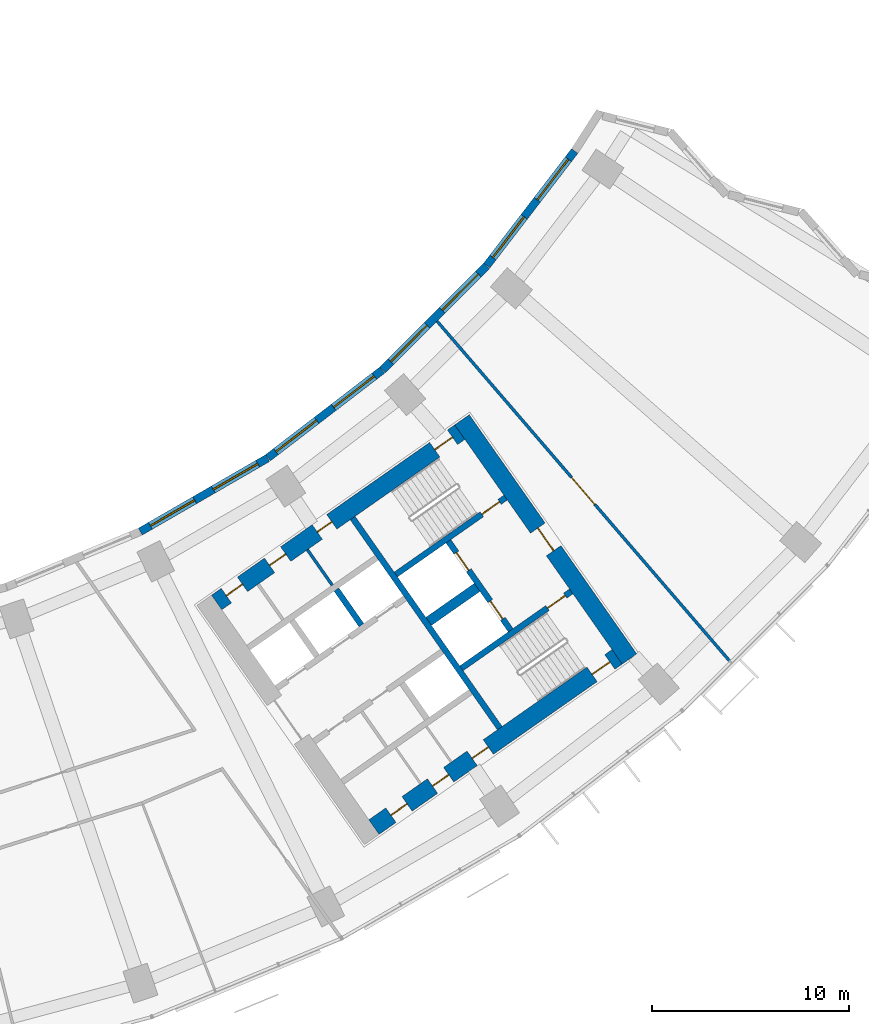
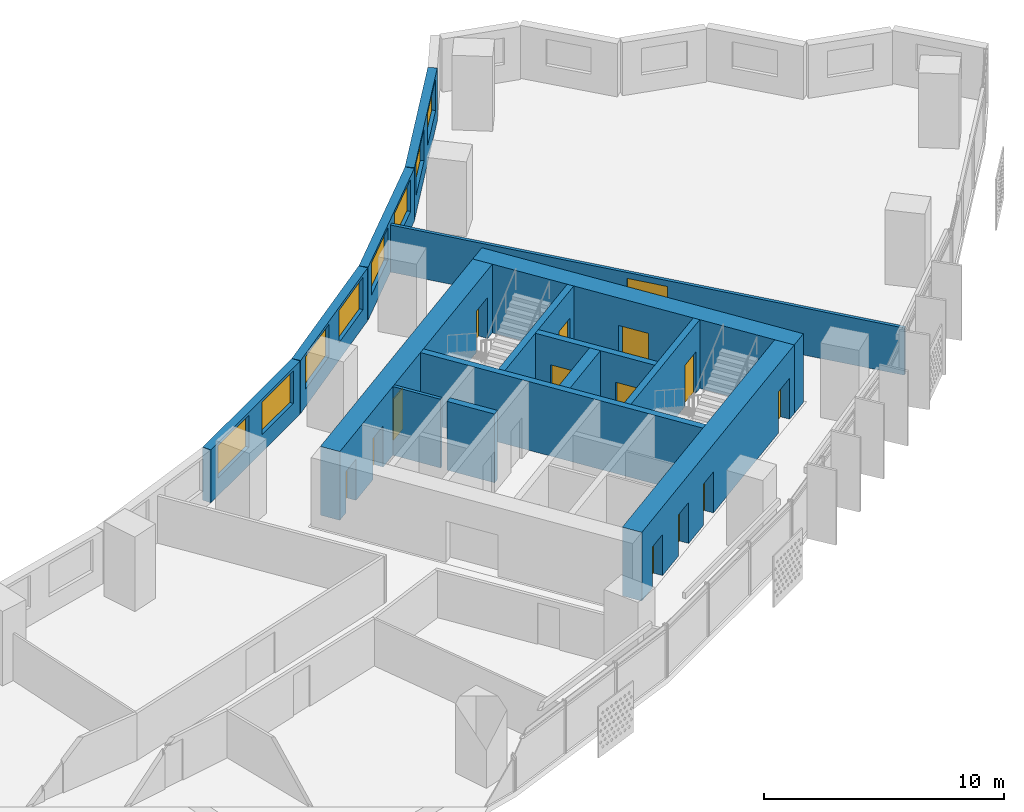
# One storey, part 7 of 31: 15 walls, 14 doors, 8 windows, 22 openings.
"""IFC4 building model written with IfcOpenShell, lengths in metres."""

import ifcopenshell
import ifcopenshell.guid

model = None  # the IFC model being written
_history = None  # IfcOwnerHistory: only IFC2X3 demands one
_inside = {}  # id of a spatial element -> (the spatial element, [elements in it])
_under = {}  # id of a project, library or spatial element -> (it, [spatial elements below it])
_declared = {}  # id of a project -> (the project, [libraries it declares])
_typed = {}  # id of a type object -> (the type object, [elements of that type])
_made_of = {}  # id of a material, layer set ... -> (it, [elements and type objects made of it])


def new_model(schema):
    """Start an empty IFC model of exactly this schema.

    Asked for "IFC4X3", IfcOpenShell would pick the latest addendum, in which some entities
    have other attributes; the version numbers below select the first issue.
    IFC2X3 requires an IfcOwnerHistory on every rooted entity: one is made here for all.
    """
    global model, _history
    if schema == "IFC4X3":
        model = ifcopenshell.file(schema_version=(4, 3, 0, 0))
    else:
        model = ifcopenshell.file(schema=schema)
    _inside.clear()
    _under.clear()
    _declared.clear()
    _typed.clear()
    _made_of.clear()
    _history = None
    if model.schema == "IFC2X3":
        org = make("IfcOrganization", Name="unknown")
        user = make(
            "IfcPersonAndOrganization",
            ThePerson=make("IfcPerson", FamilyName="unknown"),
            TheOrganization=org,
        )
        app = make(
            "IfcApplication",
            ApplicationDeveloper=org,
            Version="unknown",
            ApplicationFullName="unknown",
            ApplicationIdentifier="unknown",
        )
        _history = make(
            "IfcOwnerHistory",
            OwningUser=user,
            OwningApplication=app,
            ChangeAction="ADDED",
            CreationDate=0,
        )
    return model


def make(cls, **values):
    """One entity of the class cls with the attributes given. An attribute that is None is left unset."""
    return model.create_entity(
        cls, **{name: value for name, value in values.items() if value is not None}
    )


def rooted(cls, **values):
    """An entity with a GlobalId (a new one), such as an element, a storey or a relation."""
    return make(cls, GlobalId=ifcopenshell.guid.new(), OwnerHistory=_history, **values)


def si_unit(unit_type, name, prefix=None):
    """IfcSIUnit, for example si_unit("LENGTHUNIT", "METRE", prefix="MILLI")."""
    return make("IfcSIUnit", UnitType=unit_type, Prefix=prefix, Name=name)


def assignment(units):
    """IfcUnitAssignment: the units of a project."""
    return None if units is None else make("IfcUnitAssignment", Units=units)


def point(xyz):
    """IfcCartesianPoint."""
    return None if xyz is None else make("IfcCartesianPoint", Coordinates=xyz)


def direction(xyz):
    """IfcDirection."""
    return None if xyz is None else make("IfcDirection", DirectionRatios=xyz)


def frame(location, z_axis=None, x_axis=None):
    """IfcAxis2Placement3D, a coordinate frame: its origin and axes. An axis left out is left unset."""
    return make(
        "IfcAxis2Placement3D",
        Location=point(location),
        Axis=direction(z_axis),
        RefDirection=direction(x_axis),
    )


def frame_2d(location, x_axis=None):
    """IfcAxis2Placement2D, a coordinate frame in the plane: its origin and x axis."""
    return make(
        "IfcAxis2Placement2D", Location=point(location), RefDirection=direction(x_axis)
    )


def origin():
    """The frame at (0, 0, 0) with its axes left unset."""
    return frame((0.0, 0.0, 0.0))


def place(relative_to, where):
    """IfcLocalPlacement: puts the frame where relative to a parent placement (None: the world)."""
    return make(
        "IfcLocalPlacement", PlacementRelTo=relative_to, RelativePlacement=where
    )


def context(
    kind, dimensions, precision=None, world=None, true_north=None, identifier=None
):
    """IfcGeometricRepresentationContext, for example the 3D "Model" context."""
    return make(
        "IfcGeometricRepresentationContext",
        ContextIdentifier=identifier,
        ContextType=kind,
        CoordinateSpaceDimension=dimensions,
        Precision=precision,
        WorldCoordinateSystem=world,
        TrueNorth=true_north,
    )


def subcontext(parent, identifier, kind, view, scale=None):
    """IfcGeometricRepresentationSubContext, for example "Body" below "Model"."""
    return make(
        "IfcGeometricRepresentationSubContext",
        ContextIdentifier=identifier,
        ContextType=kind,
        ParentContext=parent,
        TargetScale=scale,
        TargetView=view,
    )


def project(units=None, contexts=None):
    """IfcProject with its units and contexts."""
    return rooted(
        "IfcProject",
        Name="project",
        RepresentationContexts=contexts,
        UnitsInContext=assignment(units),
    )


def spatial(cls, under=None, at=None, **own):
    """A site, building, storey or space (cls), placed at a placement, below another one or the project."""
    s = rooted(cls, ObjectPlacement=at, **own)
    if under is not None:
        _under.setdefault(under.id(), (under, []))[1].append(s)
    return s


def profile(cls, at=None, kind="AREA", **sizes):
    """A parametric profile (cls). Its sizes go by their IFC names, for example OverallWidth=200.0."""
    return make(cls, ProfileType=kind, Position=at, **sizes)


def rectangle(**sizes):
    """IfcRectangleProfileDef."""
    return profile("IfcRectangleProfileDef", **sizes)


def extrude(swept, where, along, depth):
    """IfcExtrudedAreaSolid: the profile swept, set in the frame where, extruded along a direction by depth."""
    return make(
        "IfcExtrudedAreaSolid",
        SweptArea=swept,
        Position=where,
        ExtrudedDirection=direction(along),
        Depth=depth,
    )


def shape(context_of_items, identifier, shape_type, items):
    """IfcShapeRepresentation: the items that make up one representation, for example the "Body"."""
    return make(
        "IfcShapeRepresentation",
        ContextOfItems=context_of_items,
        RepresentationIdentifier=identifier,
        RepresentationType=shape_type,
        Items=items,
    )


def material(Name=None, Category=None):
    """IfcMaterial."""
    return make("IfcMaterial", Name=Name, Category=Category)


def layer(
    of_material, thickness, ventilated=None, Name=None, Category=None, Priority=None
):
    """IfcMaterialLayer: one layer of a wall or slab, of a material (None: an air gap)."""
    return make(
        "IfcMaterialLayer",
        Material=of_material,
        LayerThickness=thickness,
        IsVentilated=ventilated,
        Name=Name,
        Category=Category,
        Priority=Priority,
    )


def layer_set(layers, Name=None):
    """IfcMaterialLayerSet."""
    return make("IfcMaterialLayerSet", MaterialLayers=layers, LayerSetName=Name)


def made_of(thing, what):
    """Note that an element or type object is made of a material, layer set ...; save() writes the relation."""
    if what is not None:
        _made_of.setdefault(what.id(), (what, []))[1].append(thing)
    return thing


def type_object(cls, material=None, **own):
    """A type object (cls), such as IfcWallType, which elements share."""
    return made_of(rooted(cls, **own), material)


def element(
    cls,
    number,
    at=None,
    inside=None,
    cuts=None,
    type_object=None,
    material=None,
    context=None,
    identifier="Body",
    shape_type=None,
    held_by="IfcProductDefinitionShape",
    body=None,
    shapes=None,
    **own,
):
    """One element of the class cls, such as IfcWall. Its Tag is "e" and its number.

    at: its placement. inside: the storey or other place that contains it. cuts: it is an
    opening in that element (IfcRelVoidsElement). A single representation is given by context,
    identifier, shape_type and body (its items); several are given by shapes. held_by: the class
    of the entity that holds the representations. save() writes the other relations.
    """
    e = rooted(cls, Tag="e%d" % number, ObjectPlacement=at, **own)
    if body is not None:
        shapes = [shape(context, identifier, shape_type, body)]
    if shapes is not None:
        e.Representation = make(held_by, Representations=shapes)
    if inside is not None:
        _inside.setdefault(inside.id(), (inside, []))[1].append(e)
    if cuts is not None:
        rooted(
            "IfcRelVoidsElement", RelatingBuildingElement=cuts, RelatedOpeningElement=e
        )
    if type_object is not None:
        _typed.setdefault(type_object.id(), (type_object, []))[1].append(e)
    return made_of(e, material)


def fill(opening, filler):
    """IfcRelFillsElement: the door or window that sits in an opening."""
    return rooted(
        "IfcRelFillsElement",
        RelatingOpeningElement=opening,
        RelatedBuildingElement=filler,
    )


def aggregate(whole, parts):
    """IfcRelAggregates: a whole, such as a stair, and the parts it consists of."""
    return rooted("IfcRelAggregates", RelatingObject=whole, RelatedObjects=parts)


def save(model, path):
    """Write the relations noted so far, then the file.

    IfcRelAggregates (storeys below a building ...), IfcRelContainedInSpatialStructure (elements
    in a storey), IfcRelDefinesByType, IfcRelAssociatesMaterial and IfcRelDeclares: one each for
    every whole, place, type object, material and project.
    """
    for whole, parts in _under.values():
        aggregate(whole, parts)
    for where, things in _inside.values():
        rooted(
            "IfcRelContainedInSpatialStructure",
            RelatedElements=things,
            RelatingStructure=where,
        )
    for kind, things in _typed.values():
        rooted("IfcRelDefinesByType", RelatedObjects=things, RelatingType=kind)
    for what, things in _made_of.values():
        rooted("IfcRelAssociatesMaterial", RelatedObjects=things, RelatingMaterial=what)
    for by, libraries in _declared.values():
        rooted("IfcRelDeclares", RelatingContext=by, RelatedDefinitions=libraries)
    model.write(path)


model = new_model("IFC4")

# Units and contexts
model_context = context("Model", 3, precision=1e-05, world=origin(), true_north=direction((0.0, 1.0)))
body_context = subcontext(model_context, "Body", "Model", "MODEL_VIEW")
ifc_project = project(units=[si_unit("LENGTHUNIT", "METRE"), si_unit("AREAUNIT", "SQUARE_METRE"), si_unit("VOLUMEUNIT", "CUBIC_METRE"), si_unit("PLANEANGLEUNIT", "RADIAN"), si_unit("MASSUNIT", "GRAM", prefix="KILO")], contexts=[model_context])

# Site, building, storey
site_placement = place(None, origin())
site = spatial("IfcSite", under=ifc_project, at=site_placement, CompositionType="ELEMENT")
building_placement = place(site_placement, origin())
building = spatial("IfcBuilding", under=site, at=building_placement, Name="Qamariyya Broadcast Tower", CompositionType="ELEMENT")
storey_placement = place(building_placement, frame((0.0, 0.0, 74.699951171875)))
storey = spatial("IfcBuildingStorey", under=building, at=storey_placement, Name="L15", CompositionType="ELEMENT", Elevation=74.699951171875)

# Wall, opening, door
ifc_material_1 = material(Name="Concrete C70/85", Category="concrete")
ifc_layer_1 = layer(ifc_material_1, 0.89990234375)
ifc_layer_set_1 = layer_set([ifc_layer_1], Name="Core wall 900 mm Concrete C70/85")
wall_type_1 = type_object("IfcWallType", Name="Core wall 900 mm Concrete C70/85", PredefinedType="SHEAR", material=ifc_layer_set_1)
wall_1_placement = place(storey_placement, frame((49.778564453125, -57.191162109375, 0.0), z_axis=(0.0, 0.0, 1.0), x_axis=(-0.573577477574, 0.819151315216, 0.0)))
wall_1 = element("IfcWall", 1, at=wall_1_placement, inside=storey, type_object=wall_type_1, Name="k-E-L15-WH", PredefinedType="SHEAR", context=body_context, shape_type="SweptSolid", body=[
    extrude(rectangle(XDim=14.800048828125, YDim=0.89990234375, at=frame_2d((7.39990234375, 0.0))), origin(), (0.0, 0.0, 1.0), 3.5),
])
opening_1_placement = place(wall_1_placement, frame((6.699951171875, 0.0, 0.0)))
opening_1 = element("IfcOpeningElement", 2, at=opening_1_placement, cuts=wall_1, Name="Opening KD2-E1", PredefinedType="OPENING", context=body_context, shape_type="SweptSolid", body=[
    extrude(rectangle(XDim=1.39990234375, YDim=2.10009765625, at=frame_2d((0.699951171875, 1.050048828125))), frame((0.0, 0.4599609375, 0.0), z_axis=(0.0, -1.0, 0.0), x_axis=(1.0, 0.0, 0.0)), (0.0, 0.0, 1.0), 0.919921875),
])
ifc_material_2 = material(Name="Steel fire-resisting door leaf", Category="steel")
door_type_1 = type_object("IfcDoorType", Name="Fire-fighting lobby door KD2", OperationType="DOUBLE_DOOR_SINGLE_SWING", PredefinedType="DOOR", material=ifc_material_2)
door_1_placement = place(opening_1_placement, origin())
door_1 = element("IfcDoor", 3, at=door_1_placement, inside=storey, type_object=door_type_1, Name="k-E-L15-WH-D15", OperationType="DOUBLE_DOOR_SINGLE_SWING", OverallHeight=2.10009765625, OverallWidth=1.39990234375, PredefinedType="DOOR", context=body_context, shape_type="SweptSolid", body=[
    extrude(rectangle(XDim=1.39990234375, YDim=2.10009765625, at=frame_2d((0.699951171875, 1.050048828125))), frame((0.0, 0.02490234375, 0.0), z_axis=(0.0, -1.0, 0.0), x_axis=(1.0, 0.0, 0.0)), (0.0, 0.0, 1.0), 0.050048828125),
])
fill(opening_1, door_1)

# Wall, openings, doors
wall_2_placement = place(storey_placement, frame((28.8544921875, -54.32421875, 0.0), z_axis=(0.0, 0.0, 1.0), x_axis=(0.819145767589, 0.573585400304, 0.0)))
wall_2 = element("IfcWall", 4, at=wall_2_placement, inside=storey, type_object=wall_type_1, Name="k-E-L15-WI", PredefinedType="SHEAR", context=body_context, shape_type="SweptSolid", body=[
    extrude(rectangle(XDim=15.04541015625, YDim=0.89990234375, at=frame_2d((7.522705078125, 0.0))), origin(), (0.0, 0.0, 1.0), 3.5),
])
opening_2_placement = place(wall_2_placement, frame((0.60009765625, 0.0, 0.0)))
opening_2 = element("IfcOpeningElement", 5, at=opening_2_placement, cuts=wall_2, Name="Opening KD7-E1", PredefinedType="OPENING", context=body_context, shape_type="SweptSolid", body=[
    extrude(rectangle(XDim=1.0, YDim=2.10009765625, at=frame_2d((0.5, 1.050048828125))), frame((0.0, 0.4599609375, 0.0), z_axis=(0.0, -1.0, 0.0), x_axis=(1.0, 0.0, 0.0)), (0.0, 0.0, 1.0), 0.919921875),
])
opening_3_placement = place(wall_2_placement, frame((3.27490234375, 0.0, 0.0)))
opening_3 = element("IfcOpeningElement", 6, at=opening_3_placement, cuts=wall_2, Name="Opening KD6-E2", PredefinedType="OPENING", context=body_context, shape_type="SweptSolid", body=[
    extrude(rectangle(XDim=1.0, YDim=2.10009765625, at=frame_2d((0.5, 1.050048828125))), frame((0.0, 0.4599609375, 0.0), z_axis=(0.0, -1.0, 0.0), x_axis=(1.0, 0.0, 0.0)), (0.0, 0.0, 1.0), 0.919921875),
])
opening_4_placement = place(wall_2_placement, frame((6.22509765625, 0.0, 0.0)))
opening_4 = element("IfcOpeningElement", 7, at=opening_4_placement, cuts=wall_2, Name="Opening KD5-E1", PredefinedType="OPENING", context=body_context, shape_type="SweptSolid", body=[
    extrude(rectangle(XDim=0.89990234375, YDim=2.10009765625, at=frame_2d((0.449951171875, 1.050048828125))), frame((0.0, 0.4599609375, 0.0), z_axis=(0.0, -1.0, 0.0), x_axis=(1.0, 0.0, 0.0)), (0.0, 0.0, 1.0), 0.919921875),
])
opening_5_placement = place(wall_2_placement, frame((13.495361328125, 0.0, 0.0)))
opening_5 = element("IfcOpeningElement", 8, at=opening_5_placement, cuts=wall_2, Name="Opening KD1-E1", PredefinedType="OPENING", context=body_context, shape_type="SweptSolid", body=[
    extrude(rectangle(XDim=1.10009765625, YDim=2.10009765625, at=frame_2d((0.550048828125, 1.050048828125))), frame((0.0, 0.4599609375, 0.0), z_axis=(0.0, -1.0, 0.0), x_axis=(1.0, 0.0, 0.0)), (0.0, 0.0, 1.0), 0.919921875),
])
door_type_2 = type_object("IfcDoorType", Name="Accessible toilet door KD7", OperationType="SINGLE_SWING_LEFT", PredefinedType="DOOR", material=ifc_material_2)
door_2_placement = place(opening_2_placement, origin())
door_2 = element("IfcDoor", 9, at=door_2_placement, inside=storey, type_object=door_type_2, Name="k-E-L15-WI-D7", OperationType="SINGLE_SWING_LEFT", OverallHeight=2.10009765625, OverallWidth=1.0, PredefinedType="DOOR", context=body_context, shape_type="SweptSolid", body=[
    extrude(rectangle(XDim=1.0, YDim=2.10009765625, at=frame_2d((0.5, 1.050048828125))), frame((0.0, 0.02490234375, 0.0), z_axis=(0.0, -1.0, 0.0), x_axis=(1.0, 0.0, 0.0)), (0.0, 0.0, 1.0), 0.050048828125),
])
fill(opening_2, door_2)
door_type_3 = type_object("IfcDoorType", Name="Core room door KD6", OperationType="SINGLE_SWING_LEFT", PredefinedType="DOOR", material=ifc_material_2)
door_3_placement = place(opening_3_placement, origin())
door_3 = element("IfcDoor", 10, at=door_3_placement, inside=storey, type_object=door_type_3, Name="k-E-L15-WI-D8", OperationType="SINGLE_SWING_RIGHT", OverallHeight=2.10009765625, OverallWidth=1.0, PredefinedType="DOOR", context=body_context, shape_type="SweptSolid", body=[
    extrude(rectangle(XDim=1.0, YDim=2.10009765625, at=frame_2d((0.5, 1.050048828125))), frame((0.0, 0.02490234375, 0.0), z_axis=(0.0, -1.0, 0.0), x_axis=(1.0, 0.0, 0.0)), (0.0, 0.0, 1.0), 0.050048828125),
])
fill(opening_3, door_3)
door_type_4 = type_object("IfcDoorType", Name="Stair door KD1", OperationType="SINGLE_SWING_LEFT", PredefinedType="DOOR", material=ifc_material_2)
door_4_placement = place(opening_5_placement, origin())
door_4 = element("IfcDoor", 11, at=door_4_placement, inside=storey, type_object=door_type_4, Name="k-E-L15-WI-D16", OperationType="SINGLE_SWING_RIGHT", OverallHeight=2.10009765625, OverallWidth=1.10009765625, PredefinedType="DOOR", context=body_context, shape_type="SweptSolid", body=[
    extrude(rectangle(XDim=1.10009765625, YDim=2.10009765625, at=frame_2d((0.550048828125, 1.050048828125))), frame((0.0, 0.02490234375, 0.0), z_axis=(0.0, -1.0, 0.0), x_axis=(1.0, 0.0, 0.0)), (0.0, 0.0, 1.0), 0.050048828125),
])
fill(opening_5, door_4)
door_type_5 = type_object("IfcDoorType", Name="Toilet door KD5", OperationType="SINGLE_SWING_LEFT", PredefinedType="DOOR", material=ifc_material_2)
door_5_placement = place(opening_4_placement, origin())
door_5 = element("IfcDoor", 12, at=door_5_placement, inside=storey, type_object=door_type_5, Name="k-E-L15-WI-D9", OperationType="SINGLE_SWING_LEFT", OverallHeight=2.10009765625, OverallWidth=0.89990234375, PredefinedType="DOOR", context=body_context, shape_type="SweptSolid", body=[
    extrude(rectangle(XDim=0.89990234375, YDim=2.10009765625, at=frame_2d((0.449951171875, 1.050048828125))), frame((0.0, 0.02490234375, 0.0), z_axis=(0.0, -1.0, 0.0), x_axis=(1.0, 0.0, 0.0)), (0.0, 0.0, 1.0), 0.050048828125),
])
fill(opening_4, door_5)

wall_3_placement = place(storey_placement, frame((36.827392578125, -65.710205078125, 0.0), z_axis=(0.0, 0.0, 1.0), x_axis=(0.819153391756, 0.573574511963, 0.0)))
wall_3 = element("IfcWall", 13, at=wall_3_placement, inside=storey, type_object=wall_type_1, Name="k-E-L15-WO", PredefinedType="SHEAR", context=body_context, shape_type="SweptSolid", body=[
    extrude(rectangle(XDim=15.04541015625, YDim=0.89990234375, at=frame_2d((7.522705078125, 0.0))), origin(), (0.0, 0.0, 1.0), 3.5),
])
opening_6_placement = place(wall_3_placement, frame((1.050048828125, 0.0, 0.0)))
opening_6 = element("IfcOpeningElement", 14, at=opening_6_placement, cuts=wall_3, Name="Opening KD4-E2", PredefinedType="OPENING", context=body_context, shape_type="SweptSolid", body=[
    extrude(rectangle(XDim=1.0, YDim=2.10009765625, at=frame_2d((0.5, 1.050048828125))), frame((0.0, 0.4599609375, 0.0), z_axis=(0.0, -1.0, 0.0), x_axis=(1.0, 0.0, 0.0)), (0.0, 0.0, 1.0), 0.919921875),
])
opening_7_placement = place(wall_3_placement, frame((3.625, 0.0, 0.0)))
opening_7 = element("IfcOpeningElement", 15, at=opening_7_placement, cuts=wall_3, Name="Opening KD4-E3", PredefinedType="OPENING", context=body_context, shape_type="SweptSolid", body=[
    extrude(rectangle(XDim=1.0, YDim=2.10009765625, at=frame_2d((0.5, 1.050048828125))), frame((0.0, 0.4599609375, 0.0), z_axis=(0.0, -1.0, 0.0), x_axis=(1.0, 0.0, 0.0)), (0.0, 0.0, 1.0), 0.919921875),
])
opening_8_placement = place(wall_3_placement, frame((6.074951171875, 0.0, 0.0)))
opening_8 = element("IfcOpeningElement", 16, at=opening_8_placement, cuts=wall_3, Name="Opening KD6-E3", PredefinedType="OPENING", context=body_context, shape_type="SweptSolid", body=[
    extrude(rectangle(XDim=1.0, YDim=2.10009765625, at=frame_2d((0.5, 1.050048828125))), frame((0.0, 0.4599609375, 0.0), z_axis=(0.0, -1.0, 0.0), x_axis=(1.0, 0.0, 0.0)), (0.0, 0.0, 1.0), 0.919921875),
])
opening_9_placement = place(wall_3_placement, frame((13.495361328125, 0.0, 0.0)))
opening_9 = element("IfcOpeningElement", 17, at=opening_9_placement, cuts=wall_3, Name="Opening KD1-E3", PredefinedType="OPENING", context=body_context, shape_type="SweptSolid", body=[
    extrude(rectangle(XDim=1.10009765625, YDim=2.10009765625, at=frame_2d((0.550048828125, 1.050048828125))), frame((0.0, 0.4599609375, 0.0), z_axis=(0.0, -1.0, 0.0), x_axis=(1.0, 0.0, 0.0)), (0.0, 0.0, 1.0), 0.919921875),
])
door_6_placement = place(opening_8_placement, origin())
door_6 = element("IfcDoor", 18, at=door_6_placement, inside=storey, type_object=door_type_3, Name="k-E-L15-WO-D12", OperationType="SINGLE_SWING_RIGHT", OverallHeight=2.10009765625, OverallWidth=1.0, PredefinedType="DOOR", context=body_context, shape_type="SweptSolid", body=[
    extrude(rectangle(XDim=1.0, YDim=2.10009765625, at=frame_2d((0.5, 1.050048828125))), frame((0.0, 0.02490234375, 0.0), z_axis=(0.0, -1.0, 0.0), x_axis=(1.0, 0.0, 0.0)), (0.0, 0.0, 1.0), 0.050048828125),
])
fill(opening_8, door_6)
door_type_6 = type_object("IfcDoorType", Name="Riser and plant door KD4", OperationType="SINGLE_SWING_LEFT", PredefinedType="DOOR", material=ifc_material_2)
door_7_placement = place(opening_6_placement, origin())
door_7 = element("IfcDoor", 19, at=door_7_placement, inside=storey, type_object=door_type_6, Name="k-E-L15-WO-D10", OperationType="SINGLE_SWING_RIGHT", OverallHeight=2.10009765625, OverallWidth=1.0, PredefinedType="DOOR", context=body_context, shape_type="SweptSolid", body=[
    extrude(rectangle(XDim=1.0, YDim=2.10009765625, at=frame_2d((0.5, 1.050048828125))), frame((0.0, 0.02490234375, 0.0), z_axis=(0.0, -1.0, 0.0), x_axis=(1.0, 0.0, 0.0)), (0.0, 0.0, 1.0), 0.050048828125),
])
fill(opening_6, door_7)
door_8_placement = place(opening_7_placement, origin())
door_8 = element("IfcDoor", 20, at=door_8_placement, inside=storey, type_object=door_type_6, Name="k-E-L15-WO-D11", OperationType="SINGLE_SWING_LEFT", OverallHeight=2.10009765625, OverallWidth=1.0, PredefinedType="DOOR", context=body_context, shape_type="SweptSolid", body=[
    extrude(rectangle(XDim=1.0, YDim=2.10009765625, at=frame_2d((0.5, 1.050048828125))), frame((0.0, 0.02490234375, 0.0), z_axis=(0.0, -1.0, 0.0), x_axis=(1.0, 0.0, 0.0)), (0.0, 0.0, 1.0), 0.050048828125),
])
fill(opening_7, door_8)
door_9_placement = place(opening_9_placement, origin())
door_9 = element("IfcDoor", 21, at=door_9_placement, inside=storey, type_object=door_type_4, Name="k-E-L15-WO-D18", OperationType="SINGLE_SWING_LEFT", OverallHeight=2.10009765625, OverallWidth=1.10009765625, PredefinedType="DOOR", context=body_context, shape_type="SweptSolid", body=[
    extrude(rectangle(XDim=1.10009765625, YDim=2.10009765625, at=frame_2d((0.550048828125, 1.050048828125))), frame((0.0, 0.02490234375, 0.0), z_axis=(0.0, -1.0, 0.0), x_axis=(1.0, 0.0, 0.0)), (0.0, 0.0, 1.0), 0.050048828125),
])
fill(opening_9, door_9)

# Wall, opening, door
ifc_material_3 = material(Name="Gypsum board partition")
ifc_layer_2 = layer(ifc_material_3, 0.14990234375)
ifc_layer_set_2 = layer_set([ifc_layer_2], Name="Corridor partition 150 EI 60")
wall_type_2 = type_object("IfcWallType", Name="Corridor partition 150 EI 60", PredefinedType="PARTITIONING", material=ifc_layer_set_2)
wall_4_placement = place(storey_placement, frame((40.021240234375, -40.063232421875, 0.0), z_axis=(0.0, 0.0, 1.0), x_axis=(0.652471531746, -0.757813235739, 0.0)))
wall_4 = element("IfcWall", 22, at=wall_4_placement, inside=storey, type_object=wall_type_2, Name="Partition L15-034", PredefinedType="PARTITIONING", context=body_context, shape_type="SweptSolid", body=[
    extrude(rectangle(XDim=22.71484375, YDim=0.14990234375, at=frame_2d((11.357421875, 0.0))), origin(), (0.0, 0.0, 1.0), 2.400146484375),
])
opening_10_placement = place(wall_4_placement, frame((10.45751953125, 0.0, 0.0)))
opening_10 = element("IfcOpeningElement", 23, at=opening_10_placement, cuts=wall_4, Name="Opening L15-D17", PredefinedType="OPENING", context=body_context, shape_type="SweptSolid", body=[
    extrude(rectangle(XDim=1.800048828125, YDim=2.10009765625, at=frame_2d((0.89990234375, 1.050048828125))), frame((0.0, 0.0849609375, 0.0), z_axis=(0.0, -1.0, 0.0), x_axis=(1.0, 0.0, 0.0)), (0.0, 0.0, 1.0), 0.169921875),
])
ifc_material_4 = material(Name="Timber fire door leaf", Category="wood")
door_type_7 = type_object("IfcDoorType", Name="Double fire door 1800 x 2100 FD60", OperationType="NOTDEFINED", PredefinedType="DOOR", material=ifc_material_4)
door_10_placement = place(opening_10_placement, origin())
door_10 = element("IfcDoor", 24, at=door_10_placement, inside=storey, type_object=door_type_7, Name="Door L15-D17", OperationType="DOUBLE_DOOR_SINGLE_SWING", OverallHeight=2.10009765625, OverallWidth=1.800048828125, PredefinedType="DOOR", context=body_context, shape_type="SweptSolid", body=[
    extrude(rectangle(XDim=1.800048828125, YDim=2.10009765625, at=frame_2d((0.89990234375, 1.050048828125))), frame((0.0, 0.02490234375, 0.0), z_axis=(0.0, -1.0, 0.0), x_axis=(1.0, 0.0, 0.0)), (0.0, 0.0, 1.0), 0.050048828125),
])
fill(opening_10, door_10)

# Walls
ifc_material_5 = material(Name="Concrete C60/75", Category="concrete")
ifc_layer_3 = layer(ifc_material_5, 0.5)
ifc_layer_set_3 = layer_set([ifc_layer_3], Name="Fire-fighting lobby divider wall 500 mm Concrete C60/75")
wall_type_3 = type_object("IfcWallType", Name="Fire-fighting lobby divider wall 500 mm Concrete C60/75", PredefinedType="SOLIDWALL", material=ifc_layer_set_3)
wall_5_placement = place(storey_placement, frame((39.59912109375, -55.28515625, 0.0), z_axis=(0.0, 0.0, 1.0), x_axis=(0.819136323161, 0.573598887793, 0.0)))
element("IfcWall", 25, at=wall_5_placement, inside=storey, type_object=wall_type_3, Name="k-E-L15-FD", PredefinedType="SOLIDWALL", context=body_context, shape_type="SweptSolid", body=[
    extrude(rectangle(XDim=2.999755859375, YDim=0.5, at=frame_2d((1.5, 0.0))), origin(), (0.0, 0.0, 1.0), 3.5),
])
ifc_material_6 = material(Name="Gypsum board partition on steel studs", Category="steel")
ifc_layer_4 = layer(ifc_material_6, 0.14990234375)
ifc_layer_set_4 = layer_set([ifc_layer_4], Name="Gypsum board partition 150 mm")
wall_type_4 = type_object("IfcWallType", Name="Gypsum board partition 150 mm", PredefinedType="PARTITIONING", material=ifc_layer_set_4)
wall_6_placement = place(storey_placement, frame((34.716064453125, -53.454833984375, 0.0), z_axis=(0.0, 0.0, 1.0), x_axis=(-0.573507030513, 0.819200638399, 0.0)))
element("IfcWall", 26, at=wall_6_placement, inside=storey, type_object=wall_type_4, Name="k-E-L15-NP530", PredefinedType="PARTITIONING", context=body_context, shape_type="SweptSolid", body=[
    extrude(rectangle(XDim=2.199951171875, YDim=0.14990234375, at=frame_2d((1.10009765625, 0.0))), origin(), (0.0, 0.0, 1.0), 3.5),
])
ifc_layer_5 = layer(ifc_material_5, 0.300048828125)
ifc_layer_set_5 = layer_set([ifc_layer_5], Name="Lift shaft wall 300 mm Concrete C60/75")
wall_type_5 = type_object("IfcWallType", Name="Lift shaft wall 300 mm Concrete C60/75", PredefinedType="SOLIDWALL", material=ifc_layer_set_5)
wall_7_placement = place(storey_placement, frame((43.204345703125, -60.69580078125, 0.0), z_axis=(0.0, 0.0, 1.0), x_axis=(-0.573571992966, 0.819155155563, 0.0)))
element("IfcWall", 27, at=wall_7_placement, inside=storey, type_object=wall_type_5, Name="k-E-L15-WL", PredefinedType="SOLIDWALL", context=body_context, shape_type="SweptSolid", body=[
    extrude(rectangle(XDim=13.000244140625, YDim=0.300048828125, at=frame_2d((6.5, 0.0))), origin(), (0.0, 0.0, 1.0), 3.5),
])
wall_8_placement = place(storey_placement, frame((36.19091796875, -55.47412109375, 0.0), z_axis=(0.0, 0.0, 1.0), x_axis=(-0.573507030513, 0.819200638399, 0.0)))
element("IfcWall", 28, at=wall_8_placement, inside=storey, type_object=wall_type_5, Name="k-E-L15-ND1", PredefinedType="SOLIDWALL", context=body_context, shape_type="SweptSolid", body=[
    extrude(rectangle(XDim=2.199951171875, YDim=0.300048828125, at=frame_2d((1.10009765625, 0.0))), origin(), (0.0, 0.0, 1.0), 3.5),
])

# Wall, opening, door
wall_9_placement = place(storey_placement, frame((37.935546875, -52.90966796875, 0.0), z_axis=(0.0, 0.0, 1.0), x_axis=(0.819147518138, 0.57358290031, 0.0)))
wall_9 = element("IfcWall", 29, at=wall_9_placement, inside=storey, type_object=wall_type_5, Name="k-E-L15-NW", PredefinedType="SOLIDWALL", context=body_context, shape_type="SweptSolid", body=[
    extrude(rectangle(XDim=6.79541015625, YDim=0.300048828125, at=frame_2d((3.397705078125, 0.0))), origin(), (0.0, 0.0, 1.0), 3.5),
])
opening_11_placement = place(wall_9_placement, frame((5.3203125, 0.0, 0.0)))
opening_11 = element("IfcOpeningElement", 30, at=opening_11_placement, cuts=wall_9, Name="Opening KD1-E2", PredefinedType="OPENING", context=body_context, shape_type="SweptSolid", body=[
    extrude(rectangle(XDim=1.10009765625, YDim=2.10009765625, at=frame_2d((0.550048828125, 1.050048828125))), frame((0.0, 0.159912109375, 0.0), z_axis=(0.0, -1.0, 0.0), x_axis=(1.0, 0.0, 0.0)), (0.0, 0.0, 1.0), 0.320068359375),
])
door_11_placement = place(opening_11_placement, origin())
door_11 = element("IfcDoor", 31, at=door_11_placement, inside=storey, type_object=door_type_4, Name="k-E-L15-NW-D17", OperationType="SINGLE_SWING_LEFT", OverallHeight=2.10009765625, OverallWidth=1.10009765625, PredefinedType="DOOR", context=body_context, shape_type="SweptSolid", body=[
    extrude(rectangle(XDim=1.10009765625, YDim=2.10009765625, at=frame_2d((0.550048828125, 1.050048828125))), frame((0.0, 0.02490234375, 0.0), z_axis=(0.0, -1.0, 0.0), x_axis=(1.0, 0.0, 0.0)), (0.0, 0.0, 1.0), 0.050048828125),
])
fill(opening_11, door_11)

wall_10_placement = place(storey_placement, frame((41.262451171875, -57.66064453125, 0.0), z_axis=(0.0, 0.0, 1.0), x_axis=(0.819164398642, 0.573558792102, 0.0)))
wall_10 = element("IfcWall", 32, at=wall_10_placement, inside=storey, type_object=wall_type_5, Name="k-E-L15-SW", PredefinedType="SOLIDWALL", context=body_context, shape_type="SweptSolid", body=[
    extrude(rectangle(XDim=6.795166015625, YDim=0.300048828125, at=frame_2d((3.3974609375, 0.0))), origin(), (0.0, 0.0, 1.0), 3.5),
])
opening_12_placement = place(wall_10_placement, frame((5.3203125, 0.0, 0.0)))
opening_12 = element("IfcOpeningElement", 33, at=opening_12_placement, cuts=wall_10, Name="Opening KD1-E4", PredefinedType="OPENING", context=body_context, shape_type="SweptSolid", body=[
    extrude(rectangle(XDim=1.10009765625, YDim=2.10009765625, at=frame_2d((0.550048828125, 1.050048828125))), frame((0.0, 0.159912109375, 0.0), z_axis=(0.0, -1.0, 0.0), x_axis=(1.0, 0.0, 0.0)), (0.0, 0.0, 1.0), 0.320068359375),
])
door_12_placement = place(opening_12_placement, origin())
door_12 = element("IfcDoor", 34, at=door_12_placement, inside=storey, type_object=door_type_4, Name="k-E-L15-SW-D19", OperationType="SINGLE_SWING_LEFT", OverallHeight=2.10009765625, OverallWidth=1.10009765625, PredefinedType="DOOR", context=body_context, shape_type="SweptSolid", body=[
    extrude(rectangle(XDim=1.10009765625, YDim=2.10009765625, at=frame_2d((0.550048828125, 1.050048828125))), frame((0.0, 0.02490234375, 0.0), z_axis=(0.0, -1.0, 0.0), x_axis=(1.0, 0.0, 0.0)), (0.0, 0.0, 1.0), 0.050048828125),
])
fill(opening_12, door_12)

# Wall, openings, doors
wall_11_placement = place(storey_placement, frame((43.756591796875, -55.731201171875, 0.0), z_axis=(0.0, 0.0, 1.0), x_axis=(-0.573536818435, 0.819179783625, 0.0)))
wall_11 = element("IfcWall", 35, at=wall_11_placement, inside=storey, type_object=wall_type_5, Name="k-E-L15-FF", PredefinedType="SOLIDWALL", context=body_context, shape_type="SweptSolid", body=[
    extrude(rectangle(XDim=5.500244140625, YDim=0.300048828125, at=frame_2d((2.75, 0.0))), origin(), (0.0, 0.0, 1.0), 3.5),
])
opening_13_placement = place(wall_11_placement, frame((0.699951171875, 0.0, 0.0)))
opening_13 = element("IfcOpeningElement", 36, at=opening_13_placement, cuts=wall_11, Name="Opening LD", PredefinedType="OPENING", context=body_context, shape_type="SweptSolid", body=[
    extrude(rectangle(XDim=1.10009765625, YDim=2.10009765625, at=frame_2d((0.550048828125, 1.050048828125))), frame((0.0, 0.159912109375, 0.0), z_axis=(0.0, -1.0, 0.0), x_axis=(1.0, 0.0, 0.0)), (0.0, 0.0, 1.0), 0.320068359375),
])
opening_14_placement = place(wall_11_placement, frame((3.699951171875, 0.0, 0.0)))
opening_14 = element("IfcOpeningElement", 37, at=opening_14_placement, cuts=wall_11, Name="Opening LD", PredefinedType="OPENING", context=body_context, shape_type="SweptSolid", body=[
    extrude(rectangle(XDim=1.10009765625, YDim=2.10009765625, at=frame_2d((0.550048828125, 1.050048828125))), frame((0.0, 0.159912109375, 0.0), z_axis=(0.0, -1.0, 0.0), x_axis=(1.0, 0.0, 0.0)), (0.0, 0.0, 1.0), 0.320068359375),
])
door_type_8 = type_object("IfcDoorType", Name="Lift landing door LD", OperationType="DOUBLE_DOOR_SLIDING", PredefinedType="DOOR", material=ifc_material_2)
door_13_placement = place(opening_13_placement, origin())
door_13 = element("IfcDoor", 38, at=door_13_placement, inside=storey, type_object=door_type_8, Name="k-E-L15-FF-D13", OperationType="DOUBLE_DOOR_SLIDING", OverallHeight=2.10009765625, OverallWidth=1.10009765625, PredefinedType="DOOR", context=body_context, shape_type="SweptSolid", body=[
    extrude(rectangle(XDim=1.10009765625, YDim=2.10009765625, at=frame_2d((0.550048828125, 1.050048828125))), frame((0.0, 0.02490234375, 0.0), z_axis=(0.0, -1.0, 0.0), x_axis=(1.0, 0.0, 0.0)), (0.0, 0.0, 1.0), 0.050048828125),
])
fill(opening_13, door_13)
door_14_placement = place(opening_14_placement, origin())
door_14 = element("IfcDoor", 39, at=door_14_placement, inside=storey, type_object=door_type_8, Name="k-E-L15-FF-D14", OperationType="DOUBLE_DOOR_SLIDING", OverallHeight=2.10009765625, OverallWidth=1.10009765625, PredefinedType="DOOR", context=body_context, shape_type="SweptSolid", body=[
    extrude(rectangle(XDim=1.10009765625, YDim=2.10009765625, at=frame_2d((0.550048828125, 1.050048828125))), frame((0.0, 0.02490234375, 0.0), z_axis=(0.0, -1.0, 0.0), x_axis=(1.0, 0.0, 0.0)), (0.0, 0.0, 1.0), 0.050048828125),
])
fill(opening_14, door_14)

# Wall, openings, windows
ifc_material_7 = material(Name="Terracotta", Category="masonry")
ifc_layer_6 = layer(ifc_material_7, 0.39990234375)
ifc_layer_set_6 = layer_set([ifc_layer_6], Name="Terracotta clad wall 400")
wall_type_6 = type_object("IfcWallType", Name="Terracotta clad wall 400", PredefinedType="SOLIDWALL", material=ifc_layer_set_6)
wall_12_placement = place(storey_placement, frame((31.439453125, -47.007568359375, 0.0), z_axis=(0.0, 0.0, 1.0), x_axis=(-0.866037641005, -0.499978803913, 0.0)))
wall_12 = element("IfcWall", 40, at=wall_12_placement, inside=storey, type_object=wall_type_6, Name="e-wl-L15-in120", PredefinedType="SOLIDWALL", context=body_context, shape_type="SweptSolid", body=[
    extrude(rectangle(XDim=7.447021484375, YDim=0.39990234375, at=frame_2d((3.7236328125, 0.0))), origin(), (0.0, 0.0, 1.0), 2.699951171875),
])
opening_15_placement = place(wall_12_placement, frame((4.266357421875, 0.0, 0.89990234375)))
opening_15 = element("IfcOpeningElement", 41, at=opening_15_placement, cuts=wall_12, Name="Opening W1", PredefinedType="OPENING", context=body_context, shape_type="SweptSolid", body=[
    extrude(rectangle(XDim=2.60009765625, YDim=1.64990234375, at=frame_2d((1.300048828125, 0.824951171875))), frame((0.0, 0.2099609375, 0.0), z_axis=(0.0, -1.0, 0.0), x_axis=(1.0, 0.0, 0.0)), (0.0, 0.0, 1.0), 0.419921875),
])
opening_16_placement = place(wall_12_placement, frame((0.580810546875, 0.0, 0.89990234375)))
opening_16 = element("IfcOpeningElement", 42, at=opening_16_placement, cuts=wall_12, Name="Opening W1", PredefinedType="OPENING", context=body_context, shape_type="SweptSolid", body=[
    extrude(rectangle(XDim=2.60009765625, YDim=1.64990234375, at=frame_2d((1.300048828125, 0.824951171875))), frame((0.0, 0.2099609375, 0.0), z_axis=(0.0, -1.0, 0.0), x_axis=(1.0, 0.0, 0.0)), (0.0, 0.0, 1.0), 0.419921875),
])
ifc_material_8 = material(Name="Clear low-e double glazed unit in aluminium frame", Category="aluminium")
window_type = type_object("IfcWindowType", Name="Ribbon window 2600 x 1650", PartitioningType="SINGLE_PANEL", PredefinedType="WINDOW", material=ifc_material_8)
window_1_placement = place(opening_15_placement, origin())
window_1 = element("IfcWindow", 43, at=window_1_placement, inside=storey, type_object=window_type, Name="e-w-L15-in12-0", OverallHeight=1.64990234375, OverallWidth=2.60009765625, PartitioningType="SINGLE_PANEL", PredefinedType="WINDOW", context=body_context, shape_type="SweptSolid", body=[
    extrude(rectangle(XDim=2.60009765625, YDim=1.64990234375, at=frame_2d((1.300048828125, 0.824951171875))), frame((0.0, 0.030029296875, 0.0), z_axis=(0.0, -1.0, 0.0), x_axis=(1.0, 0.0, 0.0)), (0.0, 0.0, 1.0), 0.06005859375),
])
fill(opening_15, window_1)
window_2_placement = place(opening_16_placement, origin())
window_2 = element("IfcWindow", 44, at=window_2_placement, inside=storey, type_object=window_type, Name="e-w-L15-in12-1", OverallHeight=1.64990234375, OverallWidth=2.60009765625, PartitioningType="SINGLE_PANEL", PredefinedType="WINDOW", context=body_context, shape_type="SweptSolid", body=[
    extrude(rectangle(XDim=2.60009765625, YDim=1.64990234375, at=frame_2d((1.300048828125, 0.824951171875))), frame((0.0, 0.030029296875, 0.0), z_axis=(0.0, -1.0, 0.0), x_axis=(1.0, 0.0, 0.0)), (0.0, 0.0, 1.0), 0.06005859375),
])
fill(opening_16, window_2)

wall_13_placement = place(storey_placement, frame((37.24609375, -42.5478515625, 0.0), z_axis=(0.0, 0.0, 1.0), x_axis=(-0.79336607943, -0.60874482668, 0.0)))
wall_13 = element("IfcWall", 45, at=wall_13_placement, inside=storey, type_object=wall_type_6, Name="e-wl-L15-in130", PredefinedType="SOLIDWALL", context=body_context, shape_type="SweptSolid", body=[
    extrude(rectangle(XDim=7.295654296875, YDim=0.39990234375, at=frame_2d((3.64794921875, 0.0))), origin(), (0.0, 0.0, 1.0), 2.699951171875),
])
opening_17_placement = place(wall_13_placement, frame((4.190673828125, 0.0, 0.89990234375)))
opening_17 = element("IfcOpeningElement", 46, at=opening_17_placement, cuts=wall_13, Name="Opening W1", PredefinedType="OPENING", context=body_context, shape_type="SweptSolid", body=[
    extrude(rectangle(XDim=2.60009765625, YDim=1.64990234375, at=frame_2d((1.300048828125, 0.824951171875))), frame((0.0, 0.2099609375, 0.0), z_axis=(0.0, -1.0, 0.0), x_axis=(1.0, 0.0, 0.0)), (0.0, 0.0, 1.0), 0.419921875),
])
opening_18_placement = place(wall_13_placement, frame((0.505126953125, 0.0, 0.89990234375)))
opening_18 = element("IfcOpeningElement", 47, at=opening_18_placement, cuts=wall_13, Name="Opening W1", PredefinedType="OPENING", context=body_context, shape_type="SweptSolid", body=[
    extrude(rectangle(XDim=2.60009765625, YDim=1.64990234375, at=frame_2d((1.300048828125, 0.824951171875))), frame((0.0, 0.2099609375, 0.0), z_axis=(0.0, -1.0, 0.0), x_axis=(1.0, 0.0, 0.0)), (0.0, 0.0, 1.0), 0.419921875),
])
window_3_placement = place(opening_17_placement, origin())
window_3 = element("IfcWindow", 48, at=window_3_placement, inside=storey, type_object=window_type, Name="e-w-L15-in13-0", OverallHeight=1.64990234375, OverallWidth=2.60009765625, PartitioningType="SINGLE_PANEL", PredefinedType="WINDOW", context=body_context, shape_type="SweptSolid", body=[
    extrude(rectangle(XDim=2.60009765625, YDim=1.64990234375, at=frame_2d((1.300048828125, 0.824951171875))), frame((0.0, 0.030029296875, 0.0), z_axis=(0.0, -1.0, 0.0), x_axis=(1.0, 0.0, 0.0)), (0.0, 0.0, 1.0), 0.06005859375),
])
fill(opening_17, window_3)
window_4_placement = place(opening_18_placement, origin())
window_4 = element("IfcWindow", 49, at=window_4_placement, inside=storey, type_object=window_type, Name="e-w-L15-in13-1", OverallHeight=1.64990234375, OverallWidth=2.60009765625, PartitioningType="SINGLE_PANEL", PredefinedType="WINDOW", context=body_context, shape_type="SweptSolid", body=[
    extrude(rectangle(XDim=2.60009765625, YDim=1.64990234375, at=frame_2d((1.300048828125, 0.824951171875))), frame((0.0, 0.030029296875, 0.0), z_axis=(0.0, -1.0, 0.0), x_axis=(1.0, 0.0, 0.0)), (0.0, 0.0, 1.0), 0.06005859375),
])
fill(opening_18, window_4)

wall_14_placement = place(storey_placement, frame((42.534423828125, -37.2685546875, 0.0), z_axis=(0.0, 0.0, 1.0), x_axis=(-0.707106781187, -0.707106781187, 0.0)))
wall_14 = element("IfcWall", 50, at=wall_14_placement, inside=storey, type_object=wall_type_6, Name="e-wl-L15-in140", PredefinedType="SOLIDWALL", context=body_context, shape_type="SweptSolid", body=[
    extrude(rectangle(XDim=7.447021484375, YDim=0.39990234375, at=frame_2d((3.7236328125, 0.0))), origin(), (0.0, 0.0, 1.0), 2.699951171875),
])
opening_19_placement = place(wall_14_placement, frame((4.266357421875, 0.0, 0.89990234375)))
opening_19 = element("IfcOpeningElement", 51, at=opening_19_placement, cuts=wall_14, Name="Opening W1", PredefinedType="OPENING", context=body_context, shape_type="SweptSolid", body=[
    extrude(rectangle(XDim=2.60009765625, YDim=1.64990234375, at=frame_2d((1.300048828125, 0.824951171875))), frame((0.0, 0.2099609375, 0.0), z_axis=(0.0, -1.0, 0.0), x_axis=(1.0, 0.0, 0.0)), (0.0, 0.0, 1.0), 0.419921875),
])
opening_20_placement = place(wall_14_placement, frame((0.580810546875, 0.0, 0.89990234375)))
opening_20 = element("IfcOpeningElement", 52, at=opening_20_placement, cuts=wall_14, Name="Opening W1", PredefinedType="OPENING", context=body_context, shape_type="SweptSolid", body=[
    extrude(rectangle(XDim=2.60009765625, YDim=1.64990234375, at=frame_2d((1.300048828125, 0.824951171875))), frame((0.0, 0.2099609375, 0.0), z_axis=(0.0, -1.0, 0.0), x_axis=(1.0, 0.0, 0.0)), (0.0, 0.0, 1.0), 0.419921875),
])
window_5_placement = place(opening_19_placement, origin())
window_5 = element("IfcWindow", 53, at=window_5_placement, inside=storey, type_object=window_type, Name="e-w-L15-in14-0", OverallHeight=1.64990234375, OverallWidth=2.60009765625, PartitioningType="SINGLE_PANEL", PredefinedType="WINDOW", context=body_context, shape_type="SweptSolid", body=[
    extrude(rectangle(XDim=2.60009765625, YDim=1.64990234375, at=frame_2d((1.300048828125, 0.824951171875))), frame((0.0, 0.030029296875, 0.0), z_axis=(0.0, -1.0, 0.0), x_axis=(1.0, 0.0, 0.0)), (0.0, 0.0, 1.0), 0.06005859375),
])
fill(opening_19, window_5)
window_6_placement = place(opening_20_placement, origin())
window_6 = element("IfcWindow", 54, at=window_6_placement, inside=storey, type_object=window_type, Name="e-w-L15-in14-1", OverallHeight=1.64990234375, OverallWidth=2.60009765625, PartitioningType="SINGLE_PANEL", PredefinedType="WINDOW", context=body_context, shape_type="SweptSolid", body=[
    extrude(rectangle(XDim=2.60009765625, YDim=1.64990234375, at=frame_2d((1.300048828125, 0.824951171875))), frame((0.0, 0.030029296875, 0.0), z_axis=(0.0, -1.0, 0.0), x_axis=(1.0, 0.0, 0.0)), (0.0, 0.0, 1.0), 0.06005859375),
])
fill(opening_20, window_6)

wall_15_placement = place(storey_placement, frame((46.997802734375, -31.44677734375, 0.0), z_axis=(0.0, 0.0, 1.0), x_axis=(-0.608759636451, -0.793354715766, 0.0)))
wall_15 = element("IfcWall", 55, at=wall_15_placement, inside=storey, type_object=wall_type_6, Name="e-wl-L15-in150", PredefinedType="SOLIDWALL", context=body_context, shape_type="SweptSolid", body=[
    extrude(rectangle(XDim=7.309814453125, YDim=0.39990234375, at=frame_2d((3.65478515625, 0.0))), origin(), (0.0, 0.0, 1.0), 2.699951171875),
])
opening_21_placement = place(wall_15_placement, frame((4.204833984375, 0.0, 0.89990234375)))
opening_21 = element("IfcOpeningElement", 56, at=opening_21_placement, cuts=wall_15, Name="Opening W1", PredefinedType="OPENING", context=body_context, shape_type="SweptSolid", body=[
    extrude(rectangle(XDim=2.60009765625, YDim=1.64990234375, at=frame_2d((1.300048828125, 0.824951171875))), frame((0.0, 0.2099609375, 0.0), z_axis=(0.0, -1.0, 0.0), x_axis=(1.0, 0.0, 0.0)), (0.0, 0.0, 1.0), 0.419921875),
])
opening_22_placement = place(wall_15_placement, frame((0.519287109375, 0.0, 0.89990234375)))
opening_22 = element("IfcOpeningElement", 57, at=opening_22_placement, cuts=wall_15, Name="Opening W1", PredefinedType="OPENING", context=body_context, shape_type="SweptSolid", body=[
    extrude(rectangle(XDim=2.60009765625, YDim=1.64990234375, at=frame_2d((1.300048828125, 0.824951171875))), frame((0.0, 0.2099609375, 0.0), z_axis=(0.0, -1.0, 0.0), x_axis=(1.0, 0.0, 0.0)), (0.0, 0.0, 1.0), 0.419921875),
])
window_7_placement = place(opening_21_placement, origin())
window_7 = element("IfcWindow", 58, at=window_7_placement, inside=storey, type_object=window_type, Name="e-w-L15-in15-0", OverallHeight=1.64990234375, OverallWidth=2.60009765625, PartitioningType="SINGLE_PANEL", PredefinedType="WINDOW", context=body_context, shape_type="SweptSolid", body=[
    extrude(rectangle(XDim=2.60009765625, YDim=1.64990234375, at=frame_2d((1.300048828125, 0.824951171875))), frame((0.0, 0.030029296875, 0.0), z_axis=(0.0, -1.0, 0.0), x_axis=(1.0, 0.0, 0.0)), (0.0, 0.0, 1.0), 0.06005859375),
])
fill(opening_21, window_7)
window_8_placement = place(opening_22_placement, origin())
window_8 = element("IfcWindow", 59, at=window_8_placement, inside=storey, type_object=window_type, Name="e-w-L15-in15-1", OverallHeight=1.64990234375, OverallWidth=2.60009765625, PartitioningType="SINGLE_PANEL", PredefinedType="WINDOW", context=body_context, shape_type="SweptSolid", body=[
    extrude(rectangle(XDim=2.60009765625, YDim=1.64990234375, at=frame_2d((1.300048828125, 0.824951171875))), frame((0.0, 0.030029296875, 0.0), z_axis=(0.0, -1.0, 0.0), x_axis=(1.0, 0.0, 0.0)), (0.0, 0.0, 1.0), 0.06005859375),
])
fill(opening_22, window_8)

save(model, "model.ifc")
